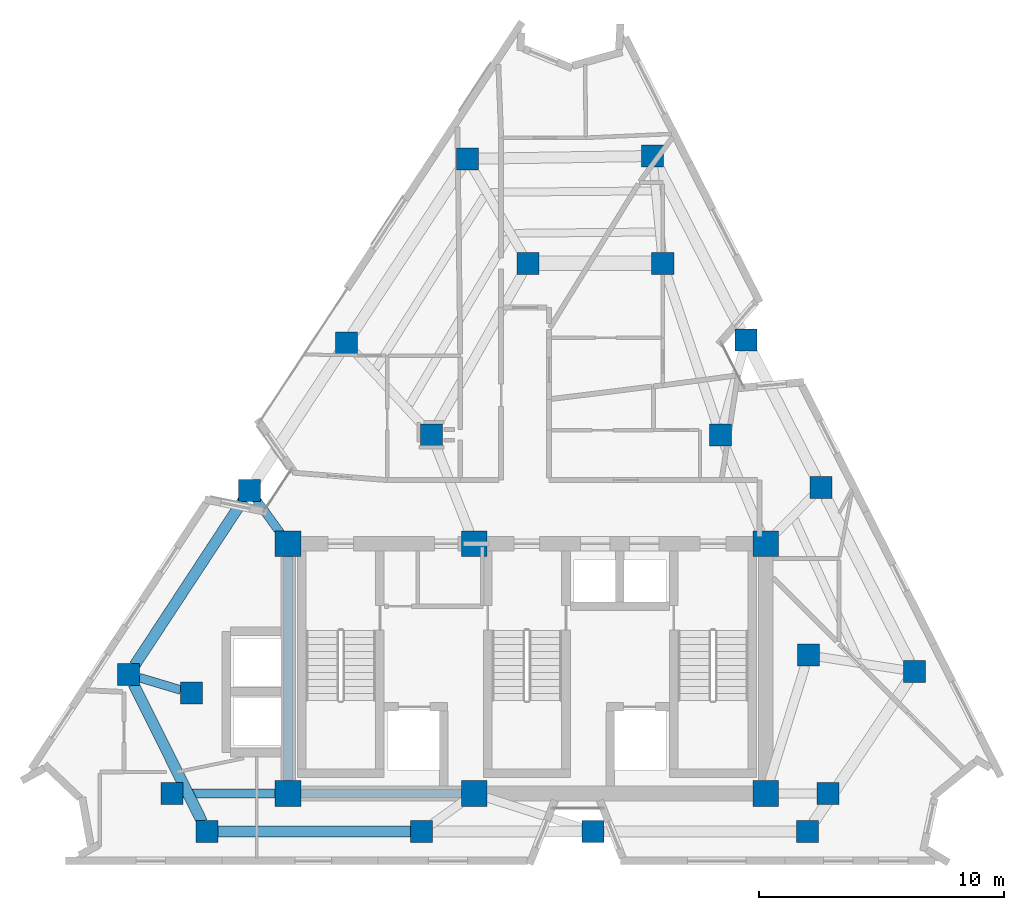
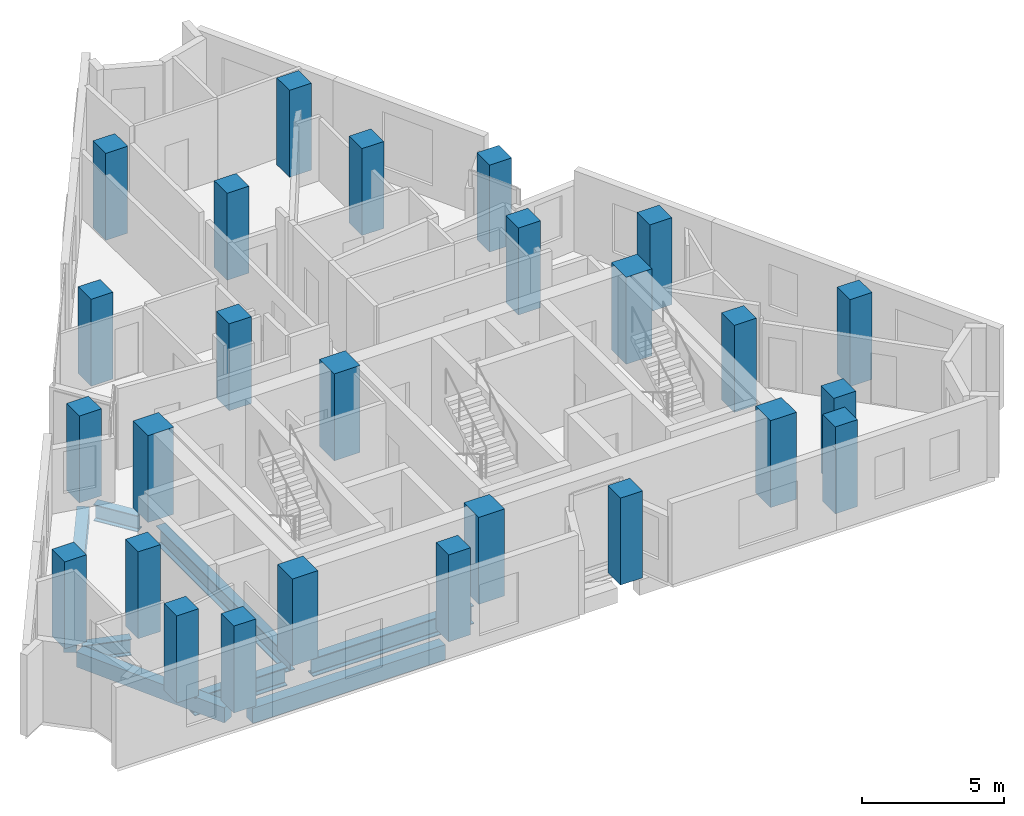
# One storey, part 1 of 9: 26 columns, 8 beams.
"""IFC4 building model written with IfcOpenShell, lengths in metres."""

from ifc_helpers import new_model, si_unit, direction, frame, origin, origin_2d, place, context, subcontext, project, spatial, rectangle, i_section, extrude, material, material_profile, profile_set, type_object, element, save


model = new_model("IFC4")

# Units and contexts
model_context = context("Model", 3, precision=1e-05, world=origin(), true_north=direction((0.0, 1.0)))
body_context = subcontext(model_context, "Body", "Model", "MODEL_VIEW")
ifc_project = project(units=[si_unit("LENGTHUNIT", "METRE"), si_unit("AREAUNIT", "SQUARE_METRE"), si_unit("VOLUMEUNIT", "CUBIC_METRE"), si_unit("PLANEANGLEUNIT", "RADIAN"), si_unit("MASSUNIT", "GRAM", prefix="KILO")], contexts=[model_context])

# Site, building, storey
site_placement = place(None, origin())
site = spatial("IfcSite", under=ifc_project, at=site_placement, CompositionType="ELEMENT")
building_placement = place(site_placement, origin())
building = spatial("IfcBuilding", under=site, at=building_placement, Name="Almagre Mirador Tower", CompositionType="ELEMENT")
storey_placement = place(building_placement, frame((0.0, 0.0, 244.5)))
storey = spatial("IfcBuildingStorey", under=building, at=storey_placement, Name="L63", CompositionType="ELEMENT", Elevation=244.5)

# Columns
ifc_material_1 = material(Name="Concrete C60/75", Category="concrete")
ifc_material_profile_1 = material_profile(ifc_material_1, rectangle(XDim=1.050048828125, YDim=1.050048828125, at=origin_2d()), Name="RC1050X1050")
ifc_profile_set_1 = profile_set([ifc_material_profile_1], Name="Concrete C60/75")
column_type_1 = type_object("IfcColumnType", Name="COL-RC1050", PredefinedType="COLUMN", material=ifc_profile_set_1)
for number, where, z_axis, x_axis, name in (
    (1, (27.550048828125, 4.550048828125, 0.0), (0.0, 0.0, 1.0), (1.0, 0.0, 0.0), "L63 core spine column CC1"),
    (2, (35.14990234375, 4.550048828125, 0.0), (0.0, 0.0, 1.0), (1.0, 0.0, 0.0), "L63 core spine column CC2"),
    (3, (47.050048828125, 4.550048828125, 0.0), (0.0, 0.0, 1.0), (1.0, 0.0, 0.0), "L63 core spine column CC3"),
    (4, (27.550048828125, 14.75, 0.0), (0.0, 0.0, 1.0), (1.0, 0.0, 0.0), "L63 core spine column CC4"),
    (5, (35.14990234375, 14.75, 0.0), (0.0, 0.0, 1.0), (1.0, 0.0, 0.0), "L63 core spine column CC5"),
    (6, (47.050048828125, 14.75, 0.0), (0.0, 0.0, 1.0), (1.0, 0.0, 0.0), "L63 core spine column CC6"),
):
    element("IfcColumn", number, at=place(storey_placement, frame(where, z_axis=z_axis, x_axis=x_axis)), inside=storey, type_object=column_type_1, Name=name, PredefinedType="COLUMN", context=body_context, shape_type="SweptSolid", body=[
        extrude(rectangle(XDim=1.050048828125, YDim=1.050048828125, at=origin_2d()), origin(), (0.0, 0.0, 1.0), 3.75),
    ])
ifc_material_2 = material(Name="Concrete C60/75", Category="concrete")
ifc_material_profile_2 = material_profile(ifc_material_2, rectangle(XDim=0.89990234375, YDim=0.89990234375, at=origin_2d()), Name="RC900X900")
ifc_profile_set_2 = profile_set([ifc_material_profile_2], Name="Concrete C60/75")
column_type_2 = type_object("IfcColumnType", Name="COL-RC900", PredefinedType="COLUMN", material=ifc_profile_set_2)
for number, where, z_axis, x_axis, name in (
    (7, (22.800048828125, 4.550048828125, 0.0), (0.0, 0.0, 1.0), (1.0, 0.0, 0.0), "L63 interior transfer column MC1"),
    (8, (49.60009765625, 4.550048828125, 0.0), (0.0, 0.0, 1.0), (1.0, 0.0, 0.0), "L63 interior transfer column MC2"),
    (9, (48.800048828125, 10.199951171875, 0.0), (0.0, 0.0, 1.0), (1.0, 0.0, 0.0), "L63 interior transfer column MC3"),
    (10, (45.199951171875, 19.199951171875, 0.0), (0.0, 0.0, 1.0), (1.0, 0.0, 0.0), "L63 interior transfer column MC5"),
    (11, (42.85009765625, 26.199951171875, 0.0), (0.0, 0.0, 1.0), (1.0, 0.0, 0.0), "L63 interior transfer column MC6"),
    (12, (37.35009765625, 26.199951171875, 0.0), (0.0, 0.0, 1.0), (1.0, 0.0, 0.0), "L63 interior transfer column MC7"),
    (13, (33.39990234375, 19.199951171875, 0.0), (0.0, 0.0, 1.0), (1.0, 0.0, 0.0), "L63 interior transfer column MC8"),
    (14, (23.60009765625, 8.64990234375, 0.0), (0.0, 0.0, 1.0), (1.0, 0.0, 0.0), "L63 interior transfer column MC10"),
    (15, (24.236083984375, 3.0, 0.0), (0.0, 0.0, 1.0), (1.0, 0.0, 0.0), "L63 perimeter column PC01"),
    (16, (32.99609375, 3.0, 0.0), (0.0, 0.0, 1.0), (1.0, 0.0, 0.0), "L63 perimeter column PC02"),
    (17, (40.00390625, 3.0, 0.0), (0.0, 0.0, 1.0), (1.0, 0.0, 0.0), "L63 perimeter column PC03"),
    (18, (48.763916015625, 3.0, 0.0), (0.0, 0.0, 1.0), (1.0, 0.0, 0.0), "L63 perimeter column PC04"),
    (19, (53.1279296875, 9.529052734375, 0.0), (0.0, 0.0, 1.0), (1.0, 0.0, 0.0), "L63 perimeter column PC05"),
    (20, (49.30810546875, 17.049072265625, 0.0), (0.0, 0.0, 1.0), (1.0, 0.0, 0.0), "L63 perimeter column PC06"),
    (21, (46.251953125, 23.06494140625, 0.0), (0.0, 0.0, 1.0), (1.0, 0.0, 0.0), "L63 perimeter column PC07"),
    (22, (42.431884765625, 30.5849609375, 0.0), (0.0, 0.0, 1.0), (1.0, 0.0, 0.0), "L63 perimeter column PC08"),
    (23, (34.868896484375, 30.468994140625, 0.0), (0.0, 0.0, 1.0), (1.0, 0.0, 0.0), "L63 perimeter column PC09"),
    (24, (29.928955078125, 22.948974609375, 0.0), (0.0, 0.0, 1.0), (1.0, 0.0, 0.0), "L63 perimeter column PC10"),
    (25, (25.97705078125, 16.93310546875, 0.0), (0.0, 0.0, 1.0), (1.0, 0.0, 0.0), "L63 perimeter column PC11"),
    (26, (21.037109375, 9.4130859375, 0.0), (0.0, 0.0, 1.0), (1.0, 0.0, 0.0), "L63 perimeter column PC12"),
):
    element("IfcColumn", number, at=place(storey_placement, frame(where, z_axis=z_axis, x_axis=x_axis)), inside=storey, type_object=column_type_2, Name=name, PredefinedType="COLUMN", context=body_context, shape_type="SweptSolid", body=[
        extrude(rectangle(XDim=0.89990234375, YDim=0.89990234375, at=origin_2d()), origin(), (0.0, 0.0, 1.0), 3.75),
    ])

# Beams
ifc_material_3 = material(Name="Precast concrete C50/60", Category="concrete")
ifc_material_profile_3 = material_profile(ifc_material_3, rectangle(XDim=0.449951171875, YDim=0.64990234375, at=origin_2d()), Name="RC450X650")
ifc_profile_set_3 = profile_set([ifc_material_profile_3], Name="Precast concrete C50/60")
beam_type_1 = type_object("IfcBeamType", Name="BM-SPN-RC450X650", PredefinedType="SPANDREL", material=ifc_profile_set_3)
beam_1_placement = place(storey_placement, frame((24.68603515625, 3.0, -0.574951171875), z_axis=(1.0, 0.0, 0.0), x_axis=(0.0, 1.0, 0.0)))
element("IfcBeam", 27, at=beam_1_placement, inside=storey, type_object=beam_type_1, Name="L63 perimeter spandrel beam PC01-PC02", PredefinedType="SPANDREL", context=body_context, shape_type="SweptSolid", body=[
    extrude(rectangle(XDim=0.449951171875, YDim=0.64990234375, at=origin_2d()), origin(), (0.0, 0.0, 1.0), 7.85986328125),
])
beam_2_placement = place(storey_placement, frame((25.72998046875, 16.556884765625, -0.574951171875), z_axis=(-0.54903769876, -0.835797586345, 0.0), x_axis=(0.835797586345, -0.54903769876, 0.0)))
element("IfcBeam", 28, at=beam_2_placement, inside=storey, type_object=beam_type_1, Name="L63 perimeter spandrel beam PC11-PC12", PredefinedType="SPANDREL", context=body_context, shape_type="SweptSolid", body=[
    extrude(rectangle(XDim=0.449951171875, YDim=0.64990234375, at=origin_2d()), origin(), (0.0, 0.0, 1.0), 8.097412109375),
])
beam_3_placement = place(storey_placement, frame((21.23779296875, 9.01025390625, -0.574951171875), z_axis=(0.446387482803, -0.894839770684, 0.0), x_axis=(0.894839770684, 0.446387482803, 0.0)))
element("IfcBeam", 29, at=beam_3_placement, inside=storey, type_object=beam_type_1, Name="L63 perimeter spandrel beam PC12-PC01", PredefinedType="SPANDREL", context=body_context, shape_type="SweptSolid", body=[
    extrude(rectangle(XDim=0.449951171875, YDim=0.64990234375, at=origin_2d()), origin(), (0.0, 0.0, 1.0), 6.2666015625),
])
ifc_material_4 = material(Name="Steel ASTM A992 Grade 50", Category="steel")
ifc_material_profile_4 = material_profile(ifc_material_4, i_section(OverallWidth=0.35791015625, OverallDepth=0.7060546875, WebThickness=0.018310546875, FlangeThickness=0.0302734375, FilletRadius=0.02197265625, at=origin_2d()), Name="W27X178")
ifc_profile_set_4 = profile_set([ifc_material_profile_4], Name="Steel ASTM A992 Grade 50")
beam_type_2 = type_object("IfcBeamType", Name="BM-STL-W27X178", PredefinedType="BEAM", material=ifc_profile_set_4)
beam_4_placement = place(storey_placement, frame((26.239990234375, 16.56787109375, -0.60302734375), z_axis=(0.584638267921, -0.81129408705, 0.0), x_axis=(0.81129408705, 0.584638267921, 0.0)))
element("IfcBeam", 30, at=beam_4_placement, inside=storey, type_object=beam_type_2, Name="L63 radial floor girder PC11-CC4", PredefinedType="BEAM", context=body_context, shape_type="SweptSolid", body=[
    extrude(i_section(OverallWidth=0.35791015625, OverallDepth=0.7060546875, WebThickness=0.018310546875, FlangeThickness=0.0302734375, FilletRadius=0.02197265625, at=origin_2d()), origin(), (0.0, 0.0, 1.0), 1.7158203125),
])
beam_5_placement = place(storey_placement, frame((21.46826171875, 9.28466796875, -0.60302734375), z_axis=(0.958411312387, -0.285390532935, 0.0), x_axis=(0.285390532935, 0.958411312387, 0.0)))
element("IfcBeam", 31, at=beam_5_placement, inside=storey, type_object=beam_type_2, Name="L63 radial floor girder PC12-MC10", PredefinedType="BEAM", context=body_context, shape_type="SweptSolid", body=[
    extrude(i_section(OverallWidth=0.35791015625, OverallDepth=0.7060546875, WebThickness=0.018310546875, FlangeThickness=0.0302734375, FilletRadius=0.02197265625, at=origin_2d()), origin(), (0.0, 0.0, 1.0), 1.774169921875),
])
ifc_material_5 = material(Name="Steel ASTM A992 Grade 50", Category="steel")
ifc_material_profile_5 = material_profile(ifc_material_5, i_section(OverallWidth=0.384033203125, OverallDepth=0.784912109375, WebThickness=0.019775390625, FlangeThickness=0.033447265625, FilletRadius=0.02392578125, at=origin_2d()), Name="W30X211")
ifc_profile_set_5 = profile_set([ifc_material_profile_5], Name="Steel ASTM A992 Grade 50")
beam_type_3 = type_object("IfcBeamType", Name="BM-STL-W30X211", PredefinedType="BEAM", material=ifc_profile_set_5)
beam_6_placement = place(storey_placement, frame((28.074951171875, 4.550048828125, -0.642578125), z_axis=(1.0, 0.0, 0.0), x_axis=(0.0, 1.0, 0.0)))
element("IfcBeam", 32, at=beam_6_placement, inside=storey, type_object=beam_type_3, Name="L63 core tie girder CC1-CC2", PredefinedType="BEAM", context=body_context, shape_type="SweptSolid", body=[
    extrude(i_section(OverallWidth=0.384033203125, OverallDepth=0.784912109375, WebThickness=0.019775390625, FlangeThickness=0.033447265625, FilletRadius=0.02392578125, at=origin_2d()), origin(), (0.0, 0.0, 1.0), 6.550048828125),
])
beam_7_placement = place(storey_placement, frame((27.550048828125, 5.074951171875, -0.642578125), z_axis=(0.0, 1.0, 0.0), x_axis=(-1.0, 0.0, 0.0)))
element("IfcBeam", 33, at=beam_7_placement, inside=storey, type_object=beam_type_3, Name="L63 core tie girder CC1-CC4", PredefinedType="BEAM", context=body_context, shape_type="SweptSolid", body=[
    extrude(i_section(OverallWidth=0.384033203125, OverallDepth=0.784912109375, WebThickness=0.019775390625, FlangeThickness=0.033447265625, FilletRadius=0.02392578125, at=origin_2d()), origin(), (0.0, 0.0, 1.0), 9.150146484375),
])
beam_8_placement = place(storey_placement, frame((23.25, 4.550048828125, -0.642578125), z_axis=(1.0, 0.0, 0.0), x_axis=(0.0, 1.0, 0.0)))
element("IfcBeam", 34, at=beam_8_placement, inside=storey, type_object=beam_type_3, Name="L63 core tie girder MC1-CC1", PredefinedType="BEAM", context=body_context, shape_type="SweptSolid", body=[
    extrude(i_section(OverallWidth=0.384033203125, OverallDepth=0.784912109375, WebThickness=0.019775390625, FlangeThickness=0.033447265625, FilletRadius=0.02392578125, at=origin_2d()), origin(), (0.0, 0.0, 1.0), 3.77490234375),
])

save(model, "model.ifc")
